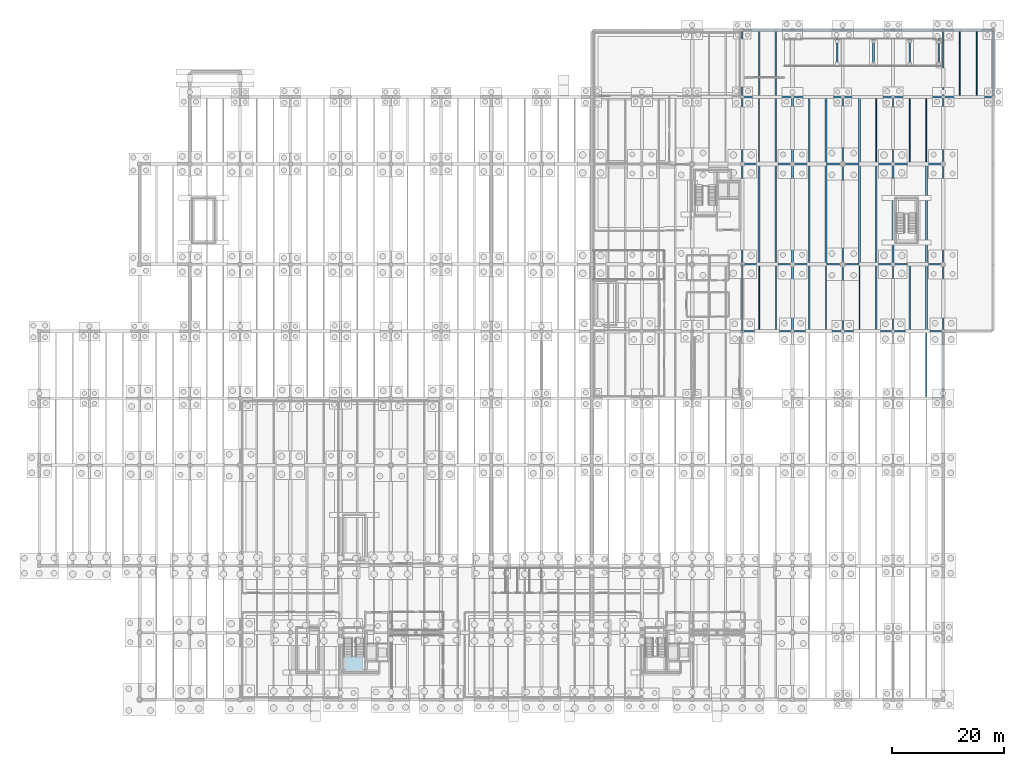
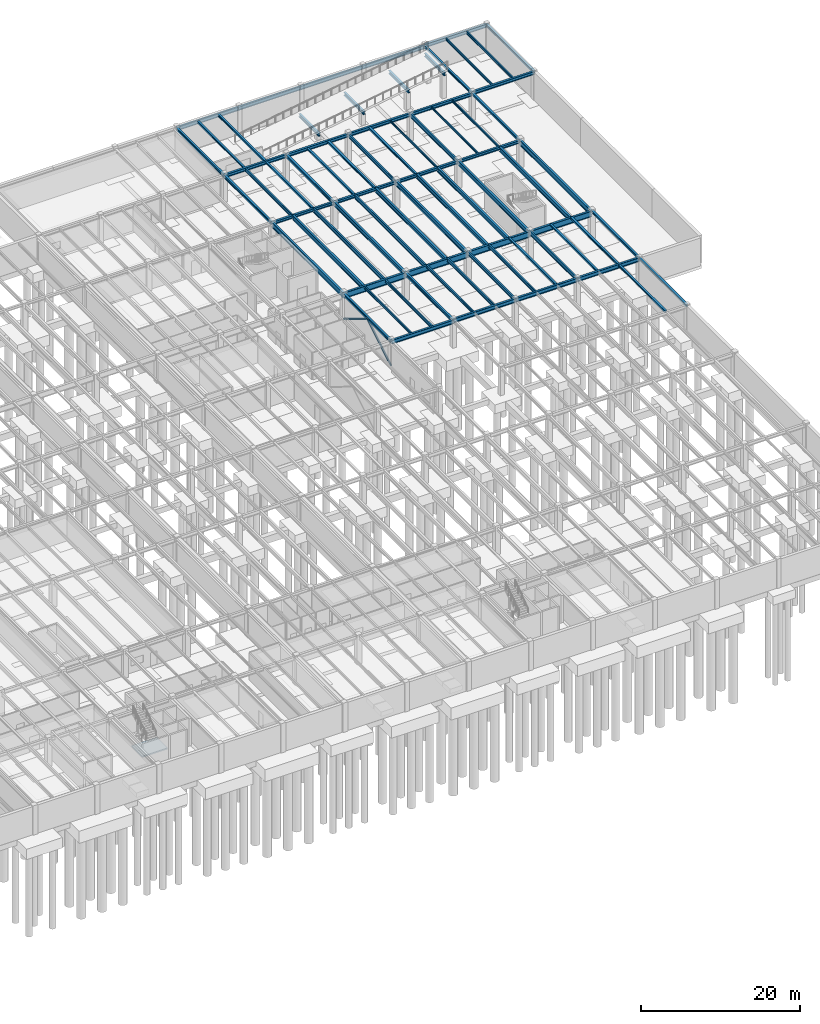
# One storey, part 20 of 40: 73 beams, 2 members, 1 slab, 1 element without a shape of its own.
"""IFC4 building model written with IfcOpenShell, lengths in metres."""

from ifc_helpers import new_model, si_unit, direction, frame, origin, origin_2d, place, context, subcontext, project, spatial, polyline, hollow_circle, i_section, outline, extrude, material, layer, layer_set, material_profile, profile_set, type_object, element, aggregate, save


model = new_model("IFC4")

# Units and contexts
model_context = context("Model", 3, precision=1e-05, world=origin(), true_north=direction((0.0, 1.0)))
body_context = subcontext(model_context, "Body", "Model", "MODEL_VIEW")
ifc_project = project(units=[si_unit("LENGTHUNIT", "METRE"), si_unit("AREAUNIT", "SQUARE_METRE"), si_unit("VOLUMEUNIT", "CUBIC_METRE"), si_unit("PLANEANGLEUNIT", "RADIAN"), si_unit("MASSUNIT", "GRAM", prefix="KILO")], contexts=[model_context])

# Site, building, storey
site_placement = place(None, origin())
site = spatial("IfcSite", under=ifc_project, at=site_placement, CompositionType="ELEMENT")
building_placement = place(site_placement, origin())
building = spatial("IfcBuilding", under=site, at=building_placement, Name="Montelvaro Courts of Justice", CompositionType="ELEMENT")
storey_placement = place(building_placement, frame((0.0, 0.0, -4.5)))
storey = spatial("IfcBuildingStorey", under=building, at=storey_placement, Name="B01", CompositionType="ELEMENT", Elevation=-4.5)

# Beams
ifc_material_1 = material(Name="Steel S355", Category="steel")
ifc_material_profile_1 = material_profile(ifc_material_1, i_section(OverallWidth=0.280029296875, OverallDepth=0.27001953125, WebThickness=0.008056640625, FlangeThickness=0.012939453125, at=origin_2d()), Name="HEA 280")
ifc_profile_set_1 = profile_set([ifc_material_profile_1], Name="Steel S355")
beam_type_1 = type_object("IfcBeamType", Name="Beam_HEA280", PredefinedType="BEAM", material=ifc_profile_set_1)
for number, where, z_axis, x_axis, name in (
    (1, (132.0, 96.110107421875, 4.0048828125), (0.0, 1.0, 0.0), (-1.0, 0.0, 0.0), "Beam B-14 B01"),
    (2, (129.0, 108.110107421875, 4.0048828125), (0.0, 1.0, 0.0), (-1.0, 0.0, 0.0), "Beam B-14 B01"),
    (3, (138.0, 96.110107421875, 4.0048828125), (0.0, 1.0, 0.0), (-1.0, 0.0, 0.0), "Beam B-14 B01"),
    (4, (150.0, 66.110107421875, 4.18505859375), (0.0, 1.0, 0.0), (-1.0, 0.0, 0.0), "Beam B-14 B01"),
    (5, (159.0, 54.110107421875, 4.18505859375), (0.0, 1.0, 0.0), (-1.0, 0.0, 0.0), "Beam B-14 B01"),
    (6, (156.0, 66.110107421875, 4.18505859375), (0.0, 1.0, 0.0), (-1.0, 0.0, 0.0), "Beam B-14 B01"),
):
    element("IfcBeam", number, at=place(storey_placement, frame(where, z_axis=z_axis, x_axis=x_axis)), inside=storey, type_object=beam_type_1, Name=name, PredefinedType="BEAM", context=body_context, shape_type="SweptSolid", body=[
        extrude(i_section(OverallWidth=0.280029296875, OverallDepth=0.27001953125, WebThickness=0.008056640625, FlangeThickness=0.012939453125, at=origin_2d()), origin(), (0.0, 0.0, 1.0), 11.77978515625),
    ])
ifc_material_profile_2 = material_profile(ifc_material_1, i_section(OverallWidth=0.300048828125, OverallDepth=0.31005859375, WebThickness=0.009033203125, FlangeThickness=0.015380859375, at=origin_2d()), Name="HEA 320")
ifc_profile_set_2 = profile_set([ifc_material_profile_2], Name="Steel S355")
beam_type_2 = type_object("IfcBeamType", Name="Beam_HEA320", PredefinedType="BEAM", material=ifc_profile_set_2)
for number, where, z_axis, x_axis, name in (
    (7, (132.0, 108.110107421875, 3.985107421875), (0.0, 1.0, 0.0), (-1.0, 0.0, 0.0), "Beam B-15 B01"),
    (8, (141.0, 96.110107421875, 3.985107421875), (0.0, 1.0, 0.0), (-1.0, 0.0, 0.0), "Beam B-15 B01"),
    (9, (147.0, 96.110107421875, 3.985107421875), (0.0, 1.0, 0.0), (-1.0, 0.0, 0.0), "Beam B-15 B01"),
    (10, (159.0, 66.110107421875, 4.1650390625), (0.0, 1.0, 0.0), (-1.0, 0.0, 0.0), "Beam B-15 B01"),
):
    element("IfcBeam", number, at=place(storey_placement, frame(where, z_axis=z_axis, x_axis=x_axis)), inside=storey, type_object=beam_type_2, Name=name, PredefinedType="BEAM", context=body_context, shape_type="SweptSolid", body=[
        extrude(i_section(OverallWidth=0.300048828125, OverallDepth=0.31005859375, WebThickness=0.009033203125, FlangeThickness=0.015380859375, at=origin_2d()), origin(), (0.0, 0.0, 1.0), 11.77978515625),
    ])
ifc_material_profile_3 = material_profile(ifc_material_1, i_section(OverallWidth=0.300048828125, OverallDepth=0.35009765625, WebThickness=0.010009765625, FlangeThickness=0.017578125, at=origin_2d()), Name="HEA 360")
ifc_profile_set_3 = profile_set([ifc_material_profile_3], Name="Steel S355")
beam_type_3 = type_object("IfcBeamType", Name="Beam_HEA360", PredefinedType="USERDEFINED", material=ifc_profile_set_3)
for number, where, z_axis, x_axis, name in (
    (11, (162.0, 54.0, 4.14501953125), (0.0, 1.0, 0.0), (-1.0, 0.0, 0.0), "Beam B-16 B01"),
    (12, (162.0, 66.0, 4.14501953125), (0.0, 1.0, 0.0), (-1.0, 0.0, 0.0), "Beam B-16 B01"),
    (13, (162.0, 96.0, 3.965087890625), (0.0, 1.0, 0.0), (-1.0, 0.0, 0.0), "Beam B-16 B01"),
    (14, (162.0, 108.0, 3.965087890625), (0.0, 1.0, 0.0), (-1.0, 0.0, 0.0), "Beam B-16 B01"),
):
    element("IfcBeam", number, at=place(storey_placement, frame(where, z_axis=z_axis, x_axis=x_axis)), inside=storey, type_object=beam_type_3, Name=name, ObjectType="GIRDER", PredefinedType="USERDEFINED", context=body_context, shape_type="SweptSolid", body=[
        extrude(i_section(OverallWidth=0.300048828125, OverallDepth=0.35009765625, WebThickness=0.010009765625, FlangeThickness=0.017578125, at=origin_2d()), origin(), (0.0, 0.0, 1.0), 12.0),
    ])
ifc_material_profile_4 = material_profile(ifc_material_1, i_section(OverallWidth=0.300048828125, OverallDepth=0.389892578125, WebThickness=0.010986328125, FlangeThickness=0.01904296875, at=origin_2d()), Name="HEA 400")
ifc_profile_set_4 = profile_set([ifc_material_profile_4], Name="Steel S355")
beam_type_4 = type_object("IfcBeamType", Name="Beam_HEA400", PredefinedType="USERDEFINED", material=ifc_profile_set_4)
beam_1_placement = place(storey_placement, frame((171.0, 108.0, 4.0849609375), z_axis=(0.0, 1.0, 0.0), x_axis=(-1.0, 0.0, 0.0)))
element("IfcBeam", 15, at=beam_1_placement, inside=storey, type_object=beam_type_4, Name="Beam B-17 B01", ObjectType="GIRDER", PredefinedType="USERDEFINED", context=body_context, shape_type="SweptSolid", body=[
    extrude(i_section(OverallWidth=0.300048828125, OverallDepth=0.389892578125, WebThickness=0.010986328125, FlangeThickness=0.01904296875, at=origin_2d()), origin(), (0.0, 0.0, 1.0), 12.0),
])
ifc_material_profile_5 = material_profile(ifc_material_1, i_section(OverallWidth=0.300048828125, OverallDepth=0.43994140625, WebThickness=0.011474609375, FlangeThickness=0.02099609375, at=origin_2d()), Name="HEA 450")
ifc_profile_set_5 = profile_set([ifc_material_profile_5], Name="Steel S355")
beam_type_5 = type_object("IfcBeamType", Name="Beam_HEA450", PredefinedType="USERDEFINED", material=ifc_profile_set_5)
for number, where, z_axis, x_axis, name in (
    (16, (126.0, 96.0, 3.919921875), (1.0, 0.0, 0.0), (0.0, 1.0, 0.0), "Beam B-18 B01"),
    (17, (135.0, 96.0, 3.919921875), (1.0, 0.0, 0.0), (0.0, 1.0, 0.0), "Beam B-18 B01"),
    (18, (144.0, 96.0, 3.919921875), (1.0, 0.0, 0.0), (0.0, 1.0, 0.0), "Beam B-18 B01"),
    (19, (153.0, 96.0, 3.919921875), (1.0, 0.0, 0.0), (0.0, 1.0, 0.0), "Beam B-18 B01"),
):
    element("IfcBeam", number, at=place(storey_placement, frame(where, z_axis=z_axis, x_axis=x_axis)), inside=storey, type_object=beam_type_5, Name=name, ObjectType="GIRDER", PredefinedType="USERDEFINED", context=body_context, shape_type="SweptSolid", body=[
        extrude(i_section(OverallWidth=0.300048828125, OverallDepth=0.43994140625, WebThickness=0.011474609375, FlangeThickness=0.02099609375, at=origin_2d()), origin(), (0.0, 0.0, 1.0), 9.0),
    ])
for number, where, z_axis, x_axis, name in (
    (20, (126.0, 66.0, 3.97998046875), (0.0, 1.0, 0.0), (-1.0, 0.0, 0.0), "Beam B-18 B01"),
    (21, (126.0, 96.0, 3.919921875), (0.0, 1.0, 0.0), (-1.0, 0.0, 0.0), "Beam B-18 B01"),
    (22, (126.0, 108.0, 3.919921875), (0.0, 1.0, 0.0), (-1.0, 0.0, 0.0), "Beam B-18 B01"),
):
    element("IfcBeam", number, at=place(storey_placement, frame(where, z_axis=z_axis, x_axis=x_axis)), inside=storey, type_object=beam_type_5, Name=name, ObjectType="GIRDER", PredefinedType="USERDEFINED", context=body_context, shape_type="SweptSolid", body=[
        extrude(i_section(OverallWidth=0.300048828125, OverallDepth=0.43994140625, WebThickness=0.011474609375, FlangeThickness=0.02099609375, at=origin_2d()), origin(), (0.0, 0.0, 1.0), 12.0),
    ])
ifc_material_profile_6 = material_profile(ifc_material_1, i_section(OverallWidth=0.300048828125, OverallDepth=0.489990234375, WebThickness=0.011962890625, FlangeThickness=0.02294921875, at=origin_2d()), Name="HEA 500")
ifc_profile_set_6 = profile_set([ifc_material_profile_6], Name="Steel S355")
beam_type_6 = type_object("IfcBeamType", Name="Beam_HEA500", PredefinedType="USERDEFINED", material=ifc_profile_set_6)
for number, where, z_axis, x_axis, name in (
    (23, (126.0, 108.0, 3.89501953125), (1.0, 0.0, 0.0), (0.0, 1.0, 0.0), "Beam B-19 B01"),
    (24, (135.0, 108.0, 3.89501953125), (1.0, 0.0, 0.0), (0.0, 1.0, 0.0), "Beam B-19 B01"),
    (25, (144.0, 108.0, 3.89501953125), (1.0, 0.0, 0.0), (0.0, 1.0, 0.0), "Beam B-19 B01"),
    (26, (153.0, 108.0, 3.89501953125), (1.0, 0.0, 0.0), (0.0, 1.0, 0.0), "Beam B-19 B01"),
    (27, (162.0, 108.0, 4.034912109375), (1.0, 0.0, 0.0), (0.0, 1.0, 0.0), "Beam B-19 B01"),
):
    element("IfcBeam", number, at=place(storey_placement, frame(where, z_axis=z_axis, x_axis=x_axis)), inside=storey, type_object=beam_type_6, Name=name, ObjectType="GIRDER", PredefinedType="USERDEFINED", context=body_context, shape_type="SweptSolid", body=[
        extrude(i_section(OverallWidth=0.300048828125, OverallDepth=0.489990234375, WebThickness=0.011962890625, FlangeThickness=0.02294921875, at=origin_2d()), origin(), (0.0, 0.0, 1.0), 9.0),
    ])
for number, where, z_axis, x_axis, name in (
    (28, (135.0, 66.0, 3.955078125), (0.0, 1.0, 0.0), (-1.0, 0.0, 0.0), "Beam B-19 B01"),
    (29, (135.0, 96.0, 3.89501953125), (0.0, 1.0, 0.0), (-1.0, 0.0, 0.0), "Beam B-19 B01"),
):
    element("IfcBeam", number, at=place(storey_placement, frame(where, z_axis=z_axis, x_axis=x_axis)), inside=storey, type_object=beam_type_6, Name=name, ObjectType="GIRDER", PredefinedType="USERDEFINED", context=body_context, shape_type="SweptSolid", body=[
        extrude(i_section(OverallWidth=0.300048828125, OverallDepth=0.489990234375, WebThickness=0.011962890625, FlangeThickness=0.02294921875, at=origin_2d()), origin(), (0.0, 0.0, 1.0), 12.0),
    ])
ifc_material_profile_7 = material_profile(ifc_material_1, i_section(OverallWidth=0.300048828125, OverallDepth=0.5400390625, WebThickness=0.012451171875, FlangeThickness=0.02392578125, at=origin_2d()), Name="HEA 550")
ifc_profile_set_7 = profile_set([ifc_material_profile_7], Name="Steel S355")
beam_type_7 = type_object("IfcBeamType", Name="Beam_HEA550", PredefinedType="USERDEFINED", material=ifc_profile_set_7)
for number, where, z_axis, x_axis, name in (
    (30, (126.0, 120.0, 3.8701171875), (1.0, 0.0, 0.0), (0.0, 1.0, 0.0), "Beam B-20 B01"),
    (31, (135.0, 120.0, 3.8701171875), (1.0, 0.0, 0.0), (0.0, 1.0, 0.0), "Beam B-20 B01"),
    (32, (144.0, 120.0, 3.8701171875), (1.0, 0.0, 0.0), (0.0, 1.0, 0.0), "Beam B-20 B01"),
    (33, (153.0, 120.0, 3.8701171875), (1.0, 0.0, 0.0), (0.0, 1.0, 0.0), "Beam B-20 B01"),
    (34, (162.0, 120.0, 4.010009765625), (1.0, 0.0, 0.0), (0.0, 1.0, 0.0), "Beam B-20 B01"),
):
    element("IfcBeam", number, at=place(storey_placement, frame(where, z_axis=z_axis, x_axis=x_axis)), inside=storey, type_object=beam_type_7, Name=name, ObjectType="GIRDER", PredefinedType="USERDEFINED", context=body_context, shape_type="SweptSolid", body=[
        extrude(i_section(OverallWidth=0.300048828125, OverallDepth=0.5400390625, WebThickness=0.012451171875, FlangeThickness=0.02392578125, at=origin_2d()), origin(), (0.0, 0.0, 1.0), 9.0),
    ])
ifc_material_profile_8 = material_profile(ifc_material_1, i_section(OverallWidth=0.300048828125, OverallDepth=0.639892578125, WebThickness=0.013427734375, FlangeThickness=0.02587890625, at=origin_2d()), Name="HEA 650")
ifc_profile_set_8 = profile_set([ifc_material_profile_8], Name="Steel S355")
beam_type_8 = type_object("IfcBeamType", Name="Beam_HEA650", PredefinedType="USERDEFINED", material=ifc_profile_set_8)
beam_2_placement = place(storey_placement, frame((150.0, 78.110107421875, 3.8798828125), z_axis=(0.0, 1.0, 0.0), x_axis=(-1.0, 0.0, 0.0)))
element("IfcBeam", 35, at=beam_2_placement, inside=storey, type_object=beam_type_8, Name="Beam B-22 B01", ObjectType="GIRDER", PredefinedType="USERDEFINED", context=body_context, shape_type="SweptSolid", body=[
    extrude(i_section(OverallWidth=0.300048828125, OverallDepth=0.639892578125, WebThickness=0.013427734375, FlangeThickness=0.02587890625, at=origin_2d()), origin(), (0.0, 0.0, 1.0), 17.77978515625),
])
ifc_material_profile_9 = material_profile(ifc_material_1, i_section(OverallWidth=0.300048828125, OverallDepth=0.68994140625, WebThickness=0.014404296875, FlangeThickness=0.027099609375, at=origin_2d()), Name="HEA 700")
ifc_profile_set_9 = profile_set([ifc_material_profile_9], Name="Steel S355")
beam_type_9 = type_object("IfcBeamType", Name="Beam_HEA700", PredefinedType="USERDEFINED", material=ifc_profile_set_9)
beam_3_placement = place(storey_placement, frame((153.0, 78.0, 3.85498046875), z_axis=(0.0, 1.0, 0.0), x_axis=(-1.0, 0.0, 0.0)))
element("IfcBeam", 36, at=beam_3_placement, inside=storey, type_object=beam_type_9, Name="Beam B-23 B01", ObjectType="GIRDER", PredefinedType="USERDEFINED", context=body_context, shape_type="SweptSolid", body=[
    extrude(i_section(OverallWidth=0.300048828125, OverallDepth=0.68994140625, WebThickness=0.014404296875, FlangeThickness=0.027099609375, at=origin_2d()), origin(), (0.0, 0.0, 1.0), 18.0),
])
for number, where, z_axis, x_axis, name in (
    (37, (129.0, 78.110107421875, 3.85498046875), (0.0, 1.0, 0.0), (-1.0, 0.0, 0.0), "Beam B-23 B01"),
    (38, (159.0, 78.110107421875, 3.85498046875), (0.0, 1.0, 0.0), (-1.0, 0.0, 0.0), "Beam B-23 B01"),
):
    element("IfcBeam", number, at=place(storey_placement, frame(where, z_axis=z_axis, x_axis=x_axis)), inside=storey, type_object=beam_type_9, Name=name, ObjectType="GIRDER", PredefinedType="USERDEFINED", context=body_context, shape_type="SweptSolid", body=[
        extrude(i_section(OverallWidth=0.300048828125, OverallDepth=0.68994140625, WebThickness=0.014404296875, FlangeThickness=0.027099609375, at=origin_2d()), origin(), (0.0, 0.0, 1.0), 17.77978515625),
    ])
ifc_material_profile_10 = material_profile(ifc_material_1, i_section(OverallWidth=0.300048828125, OverallDepth=0.7900390625, WebThickness=0.014892578125, FlangeThickness=0.028076171875, at=origin_2d()), Name="HEA 800")
ifc_profile_set_10 = profile_set([ifc_material_profile_10], Name="Steel S355")
beam_type_10 = type_object("IfcBeamType", Name="Beam_HEA800", PredefinedType="USERDEFINED", material=ifc_profile_set_10)
beam_4_placement = place(storey_placement, frame((162.0, 78.0, 3.804931640625), z_axis=(0.0, 1.0, 0.0), x_axis=(-1.0, 0.0, 0.0)))
element("IfcBeam", 39, at=beam_4_placement, inside=storey, type_object=beam_type_10, Name="Beam B-24 B01", ObjectType="GIRDER", PredefinedType="USERDEFINED", context=body_context, shape_type="SweptSolid", body=[
    extrude(i_section(OverallWidth=0.300048828125, OverallDepth=0.7900390625, WebThickness=0.014892578125, FlangeThickness=0.028076171875, at=origin_2d()), origin(), (0.0, 0.0, 1.0), 18.0),
])
ifc_material_profile_11 = material_profile(ifc_material_1, i_section(OverallWidth=0.300048828125, OverallDepth=0.5, WebThickness=0.014404296875, FlangeThickness=0.028076171875, at=origin_2d()), Name="HEB 500")
ifc_profile_set_11 = profile_set([ifc_material_profile_11], Name="Steel S355")
beam_type_11 = type_object("IfcBeamType", Name="Beam_HEB500", PredefinedType="USERDEFINED", material=ifc_profile_set_11)
for number, where, z_axis, x_axis, name in (
    (40, (161.199951171875, 113.5, 3.8544921875), (0.0, 1.0, 0.0), (-1.0, 0.0, 0.0), "Ramp VR-01 Top Abutment Bearer"),
    (41, (143.0, 113.5, 0.9296875), (0.0, 1.0, 0.0), (-1.0, 0.0, 0.0), "Ramp VR-01 Transverse Bearer 1"),
    (42, (149.5, 113.5, 1.974365234375), (0.0, 1.0, 0.0), (-1.0, 0.0, 0.0), "Ramp VR-01 Transverse Bearer 2"),
    (43, (156.0, 113.5, 3.018798828125), (0.0, 1.0, 0.0), (-1.0, 0.0, 0.0), "Ramp VR-01 Transverse Bearer 3"),
):
    element("IfcBeam", number, at=place(storey_placement, frame(where, z_axis=z_axis, x_axis=x_axis)), inside=storey, type_object=beam_type_11, Name=name, ObjectType="GIRDER", PredefinedType="USERDEFINED", context=body_context, shape_type="SweptSolid", body=[
        extrude(i_section(OverallWidth=0.300048828125, OverallDepth=0.5, WebThickness=0.014404296875, FlangeThickness=0.028076171875, at=origin_2d()), origin(), (0.0, 0.0, 1.0), 5.0),
    ])
ifc_material_profile_12 = material_profile(ifc_material_1, i_section(OverallWidth=0.300048828125, OverallDepth=0.60009765625, WebThickness=0.015380859375, FlangeThickness=0.030029296875, at=origin_2d()), Name="HEB 600")
ifc_profile_set_12 = profile_set([ifc_material_profile_12], Name="Steel S355")
beam_type_12 = type_object("IfcBeamType", Name="Beam_HEB600", PredefinedType="USERDEFINED", material=ifc_profile_set_12)
for number, where, z_axis, x_axis, name in (
    (44, (126.0, 66.0, 3.89990234375), (1.0, 0.0, 0.0), (0.0, 1.0, 0.0), "Beam B-26 B01"),
    (45, (135.0, 66.0, 4.02001953125), (1.0, 0.0, 0.0), (0.0, 1.0, 0.0), "Beam B-26 B01"),
    (46, (144.0, 66.0, 4.02001953125), (1.0, 0.0, 0.0), (0.0, 1.0, 0.0), "Beam B-26 B01"),
    (47, (153.0, 66.0, 4.02001953125), (1.0, 0.0, 0.0), (0.0, 1.0, 0.0), "Beam B-26 B01"),
):
    element("IfcBeam", number, at=place(storey_placement, frame(where, z_axis=z_axis, x_axis=x_axis)), inside=storey, type_object=beam_type_12, Name=name, ObjectType="GIRDER", PredefinedType="USERDEFINED", context=body_context, shape_type="SweptSolid", body=[
        extrude(i_section(OverallWidth=0.300048828125, OverallDepth=0.60009765625, WebThickness=0.015380859375, FlangeThickness=0.030029296875, at=origin_2d()), origin(), (0.0, 0.0, 1.0), 9.0),
    ])
ifc_material_profile_13 = material_profile(ifc_material_1, i_section(OverallWidth=0.300048828125, OverallDepth=0.64990234375, WebThickness=0.01611328125, FlangeThickness=0.031005859375, at=origin_2d()), Name="HEB 650")
ifc_profile_set_13 = profile_set([ifc_material_profile_13], Name="Steel S355")
beam_type_13 = type_object("IfcBeamType", Name="Beam_HEB650", PredefinedType="USERDEFINED", material=ifc_profile_set_13)
beam_5_placement = place(storey_placement, frame((135.0, 78.0, 3.875), z_axis=(0.0, 1.0, 0.0), x_axis=(-1.0, 0.0, 0.0)))
element("IfcBeam", 48, at=beam_5_placement, inside=storey, type_object=beam_type_13, Name="Beam B-27 B01", ObjectType="GIRDER", PredefinedType="USERDEFINED", context=body_context, shape_type="SweptSolid", body=[
    extrude(i_section(OverallWidth=0.300048828125, OverallDepth=0.64990234375, WebThickness=0.01611328125, FlangeThickness=0.031005859375, at=origin_2d()), origin(), (0.0, 0.0, 1.0), 18.0),
])
for number, where, z_axis, x_axis, name in (
    (49, (141.0, 78.110107421875, 3.875), (0.0, 1.0, 0.0), (-1.0, 0.0, 0.0), "Beam B-27 B01"),
    (50, (147.0, 78.110107421875, 3.875), (0.0, 1.0, 0.0), (-1.0, 0.0, 0.0), "Beam B-27 B01"),
):
    element("IfcBeam", number, at=place(storey_placement, frame(where, z_axis=z_axis, x_axis=x_axis)), inside=storey, type_object=beam_type_13, Name=name, ObjectType="GIRDER", PredefinedType="USERDEFINED", context=body_context, shape_type="SweptSolid", body=[
        extrude(i_section(OverallWidth=0.300048828125, OverallDepth=0.64990234375, WebThickness=0.01611328125, FlangeThickness=0.031005859375, at=origin_2d()), origin(), (0.0, 0.0, 1.0), 17.77978515625),
    ])
ifc_material_profile_14 = material_profile(ifc_material_1, i_section(OverallWidth=0.300048828125, OverallDepth=0.699951171875, WebThickness=0.01708984375, FlangeThickness=0.031982421875, at=origin_2d()), Name="HEB 700")
ifc_profile_set_14 = profile_set([ifc_material_profile_14], Name="Steel S355")
beam_type_14 = type_object("IfcBeamType", Name="Beam_HEB700", PredefinedType="USERDEFINED", material=ifc_profile_set_14)
beam_6_placement = place(storey_placement, frame((144.0, 78.0, 3.85009765625), z_axis=(0.0, 1.0, 0.0), x_axis=(-1.0, 0.0, 0.0)))
element("IfcBeam", 51, at=beam_6_placement, inside=storey, type_object=beam_type_14, Name="Beam B-28 B01", ObjectType="GIRDER", PredefinedType="USERDEFINED", context=body_context, shape_type="SweptSolid", body=[
    extrude(i_section(OverallWidth=0.300048828125, OverallDepth=0.699951171875, WebThickness=0.01708984375, FlangeThickness=0.031982421875, at=origin_2d()), origin(), (0.0, 0.0, 1.0), 18.0),
])
ifc_material_profile_15 = material_profile(ifc_material_1, i_section(OverallWidth=0.300048828125, OverallDepth=0.800048828125, WebThickness=0.017578125, FlangeThickness=0.032958984375, at=origin_2d()), Name="HEB 800")
ifc_profile_set_15 = profile_set([ifc_material_profile_15], Name="Steel S355")
beam_type_15 = type_object("IfcBeamType", Name="Beam_HEB800", PredefinedType="USERDEFINED", material=ifc_profile_set_15)
beam_7_placement = place(storey_placement, frame((126.0, 78.0, 3.800048828125), z_axis=(0.0, 1.0, 0.0), x_axis=(-1.0, 0.0, 0.0)))
element("IfcBeam", 52, at=beam_7_placement, inside=storey, type_object=beam_type_15, Name="Beam B-29 B01", ObjectType="GIRDER", PredefinedType="USERDEFINED", context=body_context, shape_type="SweptSolid", body=[
    extrude(i_section(OverallWidth=0.300048828125, OverallDepth=0.800048828125, WebThickness=0.017578125, FlangeThickness=0.032958984375, at=origin_2d()), origin(), (0.0, 0.0, 1.0), 18.0),
])
ifc_material_profile_16 = material_profile(ifc_material_1, i_section(OverallWidth=0.300048828125, OverallDepth=0.89990234375, WebThickness=0.0185546875, FlangeThickness=0.034912109375, at=origin_2d()), Name="HEB 900")
ifc_profile_set_16 = profile_set([ifc_material_profile_16], Name="Steel S355")
beam_type_16 = type_object("IfcBeamType", Name="Beam_HEB900", PredefinedType="USERDEFINED", material=ifc_profile_set_16)
for number, where, z_axis, x_axis, name in (
    (53, (126.0, 78.0, 3.75), (1.0, 0.0, 0.0), (0.0, 1.0, 0.0), "Beam B-30 B01"),
    (54, (135.0, 78.0, 3.75), (1.0, 0.0, 0.0), (0.0, 1.0, 0.0), "Beam B-30 B01"),
    (55, (144.0, 78.0, 3.75), (1.0, 0.0, 0.0), (0.0, 1.0, 0.0), "Beam B-30 B01"),
    (56, (153.0, 78.0, 3.75), (1.0, 0.0, 0.0), (0.0, 1.0, 0.0), "Beam B-30 B01"),
):
    element("IfcBeam", number, at=place(storey_placement, frame(where, z_axis=z_axis, x_axis=x_axis)), inside=storey, type_object=beam_type_16, Name=name, ObjectType="GIRDER", PredefinedType="USERDEFINED", context=body_context, shape_type="SweptSolid", body=[
        extrude(i_section(OverallWidth=0.300048828125, OverallDepth=0.89990234375, WebThickness=0.0185546875, FlangeThickness=0.034912109375, at=origin_2d()), origin(), (0.0, 0.0, 1.0), 9.0),
    ])
ifc_material_profile_17 = material_profile(ifc_material_1, i_section(OverallWidth=0.14990234375, OverallDepth=0.300048828125, WebThickness=0.007080078125, FlangeThickness=0.0107421875, at=origin_2d()), Name="IPE 300")
ifc_profile_set_17 = profile_set([ifc_material_profile_17], Name="Steel S355")
beam_type_17 = type_object("IfcBeamType", Name="Beam_IPE300", PredefinedType="BEAM", material=ifc_profile_set_17)
for number, where, z_axis, x_axis, name in (
    (57, (150.0, 96.110107421875, 3.989990234375), (0.0, 1.0, 0.0), (-1.0, 0.0, 0.0), "Beam B-05 B01"),
    (58, (156.0, 96.110107421875, 3.989990234375), (0.0, 1.0, 0.0), (-1.0, 0.0, 0.0), "Beam B-05 B01"),
):
    element("IfcBeam", number, at=place(storey_placement, frame(where, z_axis=z_axis, x_axis=x_axis)), inside=storey, type_object=beam_type_17, Name=name, PredefinedType="BEAM", context=body_context, shape_type="SweptSolid", body=[
        extrude(i_section(OverallWidth=0.14990234375, OverallDepth=0.300048828125, WebThickness=0.007080078125, FlangeThickness=0.0107421875, at=origin_2d()), origin(), (0.0, 0.0, 1.0), 11.77978515625),
    ])
ifc_material_profile_18 = material_profile(ifc_material_1, i_section(OverallWidth=0.159912109375, OverallDepth=0.330078125, WebThickness=0.007568359375, FlangeThickness=0.011474609375, at=origin_2d()), Name="IPE 330")
ifc_profile_set_18 = profile_set([ifc_material_profile_18], Name="Steel S355")
beam_type_18 = type_object("IfcBeamType", Name="Beam_IPE330", PredefinedType="BEAM", material=ifc_profile_set_18)
beam_8_placement = place(storey_placement, frame((159.0, 96.110107421875, 3.97509765625), z_axis=(0.0, 1.0, 0.0), x_axis=(-1.0, 0.0, 0.0)))
element("IfcBeam", 59, at=beam_8_placement, inside=storey, type_object=beam_type_18, Name="Beam B-06 B01", PredefinedType="BEAM", context=body_context, shape_type="SweptSolid", body=[
    extrude(i_section(OverallWidth=0.159912109375, OverallDepth=0.330078125, WebThickness=0.007568359375, FlangeThickness=0.011474609375, at=origin_2d()), origin(), (0.0, 0.0, 1.0), 11.77978515625),
])
ifc_material_profile_19 = material_profile(ifc_material_1, i_section(OverallWidth=0.169921875, OverallDepth=0.360107421875, WebThickness=0.008056640625, FlangeThickness=0.0126953125, at=origin_2d()), Name="IPE 360")
ifc_profile_set_19 = profile_set([ifc_material_profile_19], Name="Steel S355")
beam_type_19 = type_object("IfcBeamType", Name="Beam_IPE360", PredefinedType="BEAM", material=ifc_profile_set_19)
beam_9_placement = place(storey_placement, frame((165.0, 108.110107421875, 4.10009765625), z_axis=(0.0, 1.0, 0.0), x_axis=(-1.0, 0.0, 0.0)))
element("IfcBeam", 60, at=beam_9_placement, inside=storey, type_object=beam_type_19, Name="Beam B-07 B01", PredefinedType="BEAM", context=body_context, shape_type="SweptSolid", body=[
    extrude(i_section(OverallWidth=0.169921875, OverallDepth=0.360107421875, WebThickness=0.008056640625, FlangeThickness=0.0126953125, at=origin_2d()), origin(), (0.0, 0.0, 1.0), 11.77978515625),
])
ifc_material_profile_20 = material_profile(ifc_material_1, i_section(OverallWidth=0.179931640625, OverallDepth=0.39990234375, WebThickness=0.008544921875, FlangeThickness=0.013427734375, at=origin_2d()), Name="IPE 400")
ifc_profile_set_20 = profile_set([ifc_material_profile_20], Name="Steel S355")
beam_type_20 = type_object("IfcBeamType", Name="Beam_IPE400", PredefinedType="BEAM", material=ifc_profile_set_20)
for number, where, z_axis, x_axis, name in (
    (61, (129.0, 66.110107421875, 4.0), (0.0, 1.0, 0.0), (-1.0, 0.0, 0.0), "Beam B-08 B01"),
    (62, (168.0, 108.110107421875, 4.080078125), (0.0, 1.0, 0.0), (-1.0, 0.0, 0.0), "Beam B-08 B01"),
):
    element("IfcBeam", number, at=place(storey_placement, frame(where, z_axis=z_axis, x_axis=x_axis)), inside=storey, type_object=beam_type_20, Name=name, PredefinedType="BEAM", context=body_context, shape_type="SweptSolid", body=[
        extrude(i_section(OverallWidth=0.179931640625, OverallDepth=0.39990234375, WebThickness=0.008544921875, FlangeThickness=0.013427734375, at=origin_2d()), origin(), (0.0, 0.0, 1.0), 11.77978515625),
    ])
ifc_material_profile_21 = material_profile(ifc_material_1, i_section(OverallWidth=0.18994140625, OverallDepth=0.449951171875, WebThickness=0.009521484375, FlangeThickness=0.0146484375, at=origin_2d()), Name="IPE 450")
ifc_profile_set_21 = profile_set([ifc_material_profile_21], Name="Steel S355")
beam_type_21 = type_object("IfcBeamType", Name="Beam_IPE450", PredefinedType="BEAM", material=ifc_profile_set_21)
for number, where, z_axis, x_axis, name in (
    (63, (132.0, 66.110107421875, 3.97509765625), (0.0, 1.0, 0.0), (-1.0, 0.0, 0.0), "Beam B-09 B01"),
    (64, (138.0, 66.110107421875, 4.094970703125), (0.0, 1.0, 0.0), (-1.0, 0.0, 0.0), "Beam B-09 B01"),
):
    element("IfcBeam", number, at=place(storey_placement, frame(where, z_axis=z_axis, x_axis=x_axis)), inside=storey, type_object=beam_type_21, Name=name, PredefinedType="BEAM", context=body_context, shape_type="SweptSolid", body=[
        extrude(i_section(OverallWidth=0.18994140625, OverallDepth=0.449951171875, WebThickness=0.009521484375, FlangeThickness=0.0146484375, at=origin_2d()), origin(), (0.0, 0.0, 1.0), 11.77978515625),
    ])
ifc_material_profile_22 = material_profile(ifc_material_1, i_section(OverallWidth=0.199951171875, OverallDepth=0.5, WebThickness=0.01025390625, FlangeThickness=0.01611328125, at=origin_2d()), Name="IPE 500")
ifc_profile_set_22 = profile_set([ifc_material_profile_22], Name="Steel S355")
beam_type_22 = type_object("IfcBeamType", Name="Beam_IPE500", PredefinedType="BEAM", material=ifc_profile_set_22)
for number, where, z_axis, x_axis, name in (
    (65, (129.0, 96.110107421875, 3.889892578125), (0.0, 1.0, 0.0), (-1.0, 0.0, 0.0), "Beam B-10 B01"),
    (66, (141.0, 66.110107421875, 4.070068359375), (0.0, 1.0, 0.0), (-1.0, 0.0, 0.0), "Beam B-10 B01"),
    (67, (147.0, 66.110107421875, 4.070068359375), (0.0, 1.0, 0.0), (-1.0, 0.0, 0.0), "Beam B-10 B01"),
):
    element("IfcBeam", number, at=place(storey_placement, frame(where, z_axis=z_axis, x_axis=x_axis)), inside=storey, type_object=beam_type_22, Name=name, PredefinedType="BEAM", context=body_context, shape_type="SweptSolid", body=[
        extrude(i_section(OverallWidth=0.199951171875, OverallDepth=0.5, WebThickness=0.01025390625, FlangeThickness=0.01611328125, at=origin_2d()), origin(), (0.0, 0.0, 1.0), 11.77978515625),
    ])
ifc_material_profile_23 = material_profile(ifc_material_1, i_section(OverallWidth=0.2099609375, OverallDepth=0.550048828125, WebThickness=0.010986328125, FlangeThickness=0.01708984375, at=origin_2d()), Name="IPE 550")
ifc_profile_set_23 = profile_set([ifc_material_profile_23], Name="Steel S355")
beam_type_23 = type_object("IfcBeamType", Name="Beam_IPE550", PredefinedType="BEAM", material=ifc_profile_set_23)
for number, where, z_axis, x_axis, name in (
    (68, (144.0, 66.0, 4.044921875), (0.0, 1.0, 0.0), (-1.0, 0.0, 0.0), "Beam B-11 B01"),
    (69, (144.0, 96.0, 3.864990234375), (0.0, 1.0, 0.0), (-1.0, 0.0, 0.0), "Beam B-11 B01"),
):
    element("IfcBeam", number, at=place(storey_placement, frame(where, z_axis=z_axis, x_axis=x_axis)), inside=storey, type_object=beam_type_23, Name=name, PredefinedType="BEAM", context=body_context, shape_type="SweptSolid", body=[
        extrude(i_section(OverallWidth=0.2099609375, OverallDepth=0.550048828125, WebThickness=0.010986328125, FlangeThickness=0.01708984375, at=origin_2d()), origin(), (0.0, 0.0, 1.0), 12.0),
    ])
ifc_material_profile_24 = material_profile(ifc_material_1, i_section(OverallWidth=0.219970703125, OverallDepth=0.60009765625, WebThickness=0.011962890625, FlangeThickness=0.01904296875, at=origin_2d()), Name="IPE 600")
ifc_profile_set_24 = profile_set([ifc_material_profile_24], Name="Steel S355")
beam_type_24 = type_object("IfcBeamType", Name="Beam_IPE600", PredefinedType="USERDEFINED", material=ifc_profile_set_24)
for number, where, z_axis, x_axis, name in (
    (70, (153.0, 66.0, 4.02001953125), (0.0, 1.0, 0.0), (-1.0, 0.0, 0.0), "Beam B-12 B01"),
    (71, (153.0, 96.0, 3.840087890625), (0.0, 1.0, 0.0), (-1.0, 0.0, 0.0), "Beam B-12 B01"),
):
    element("IfcBeam", number, at=place(storey_placement, frame(where, z_axis=z_axis, x_axis=x_axis)), inside=storey, type_object=beam_type_24, Name=name, ObjectType="GIRDER", PredefinedType="USERDEFINED", context=body_context, shape_type="SweptSolid", body=[
        extrude(i_section(OverallWidth=0.219970703125, OverallDepth=0.60009765625, WebThickness=0.011962890625, FlangeThickness=0.01904296875, at=origin_2d()), origin(), (0.0, 0.0, 1.0), 12.0),
    ])
for number, where, z_axis, x_axis, name in (
    (72, (132.0, 78.110107421875, 3.89990234375), (0.0, 1.0, 0.0), (-1.0, 0.0, 0.0), "Beam B-12 B01"),
    (73, (138.0, 78.110107421875, 3.89990234375), (0.0, 1.0, 0.0), (-1.0, 0.0, 0.0), "Beam B-12 B01"),
):
    element("IfcBeam", number, at=place(storey_placement, frame(where, z_axis=z_axis, x_axis=x_axis)), inside=storey, type_object=beam_type_24, Name=name, ObjectType="GIRDER", PredefinedType="USERDEFINED", context=body_context, shape_type="SweptSolid", body=[
        extrude(i_section(OverallWidth=0.219970703125, OverallDepth=0.60009765625, WebThickness=0.011962890625, FlangeThickness=0.01904296875, at=origin_2d()), origin(), (0.0, 0.0, 1.0), 17.77978515625),
    ])

# Members
ifc_material_profile_25 = material_profile(ifc_material_1, hollow_circle(Radius=0.136474609375, WallThickness=0.012451171875, at=origin_2d()), Name="CHS 273x12.5")
ifc_profile_set_25 = profile_set([ifc_material_profile_25], Name="Steel S355")
member_type = type_object("IfcMemberType", Name="Mem_CHS273_Brace", PredefinedType="BRACE", material=ifc_profile_set_25)
for number, where, z_axis, x_axis, name in (
    (74, (126.0, 66.080078125, 0.199951171875), (0.0, 0.855694190335, 0.517481837969), (-1.0, 0.0, 0.0), "Lateral Braced Frame CBF3 Diagonal 1 (B01)"),
    (75, (126.0, 77.919921875, 0.199951171875), (0.0, -0.855694190335, 0.517481837969), (1.0, 0.0, 0.0), "Lateral Braced Frame CBF3 Diagonal 2 (B01)"),
):
    element("IfcMember", number, at=place(storey_placement, frame(where, z_axis=z_axis, x_axis=x_axis)), inside=storey, type_object=member_type, Name=name, PredefinedType="BRACE", context=body_context, shape_type="SweptSolid", body=[
        extrude(hollow_circle(Radius=0.136474609375, WallThickness=0.012451171875, at=origin_2d()), origin(), (0.0, 0.0, 1.0), 6.918212890625),
    ])

# Stair, slab
ifc_material_2 = material(Name="Concrete C35/45", Category="concrete")
stair_type = type_object("IfcStairType", Name="ProtectedStair_155", PredefinedType="HALF_TURN_STAIR", material=ifc_material_2)
stair_placement = place(storey_placement, origin())
stair = element("IfcStair", 76, at=stair_placement, inside=storey, type_object=stair_type, Name="Protected Stair ST-K1-B01", PredefinedType="HALF_TURN_STAIR")
ifc_layer = layer(ifc_material_2, 0.199951171875)
ifc_layer_set = layer_set([ifc_layer], Name="Concrete C35/45")
slab_type = type_object("IfcSlabType", Name="StairLanding_200", PredefinedType="LANDING", material=ifc_layer_set)
slab_placement = place(storey_placement, frame((0.0, 0.0, 2.050048828125)))
slab = element("IfcSlab", 77, at=slab_placement, type_object=slab_type, Name="ST-K1-B01 landing 1", PredefinedType="LANDING", context=body_context, shape_type="SweptSolid", body=[
    extrude(outline(polyline([(54.60009765625, 5.0), (58.300048828125, 5.0), (58.300048828125, 7.735107421875), (54.60009765625, 7.735107421875), (54.60009765625, 5.0)])), origin(), (0.0, 0.0, 1.0), 0.199951171875),
])
aggregate(stair, [slab])

save(model, "model.ifc")
